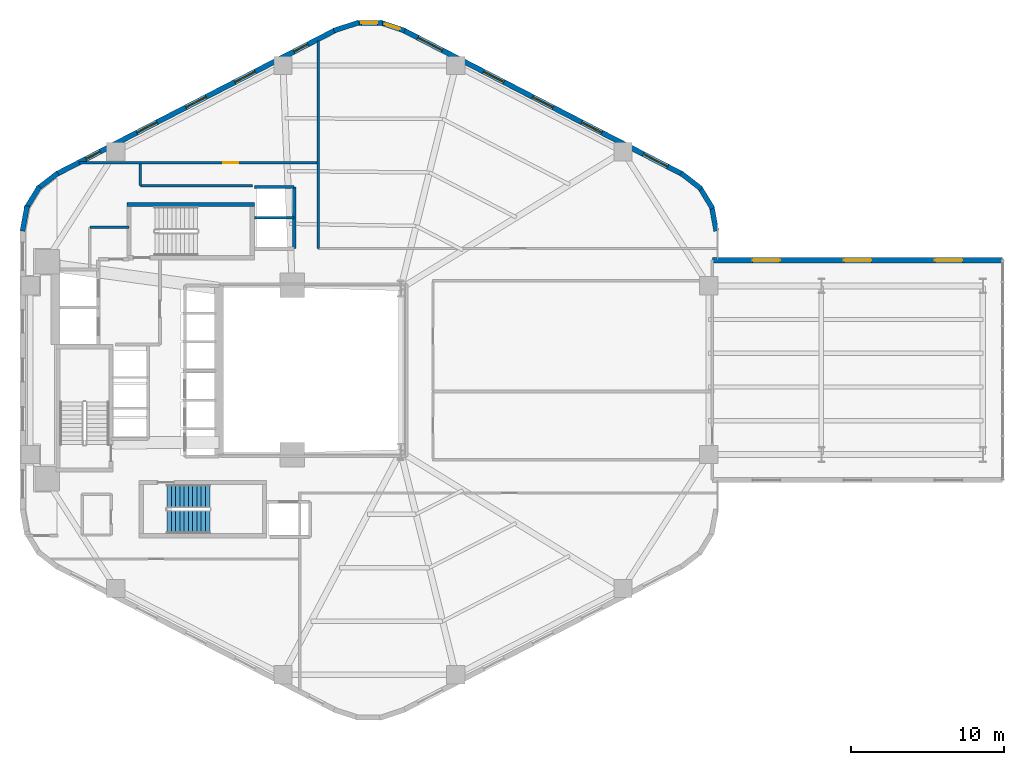
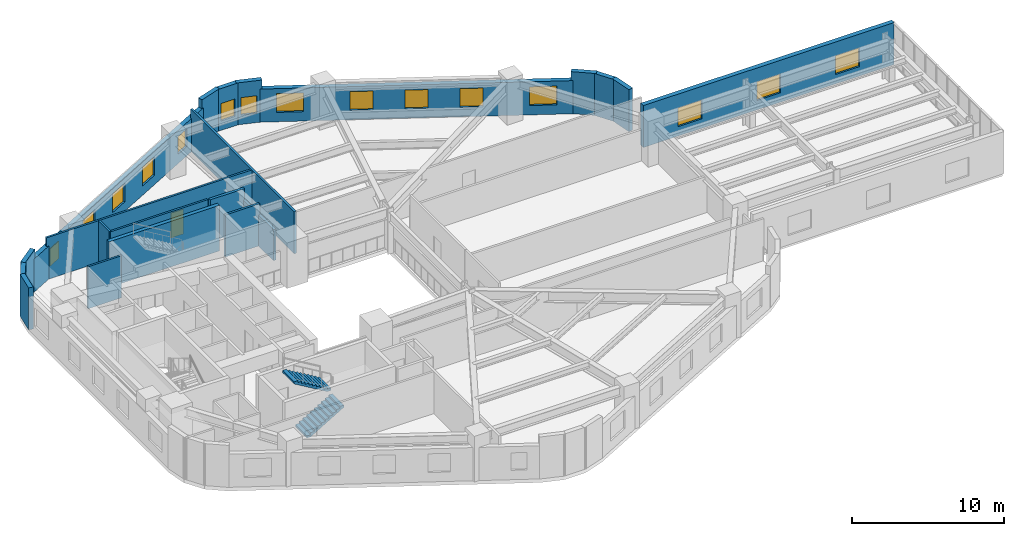
# One storey, part 7 of 10: 21 walls, 15 windows, 2 stair flights, 1 door, 16 openings, 1 element without a shape of its own.
"""IFC4 building model written with IfcOpenShell, lengths in metres."""

from ifc_helpers import new_model, si_unit, direction, frame, frame_2d, origin, place, context, subcontext, project, spatial, polyline, rectangle, outline, extrude, material, layer, layer_set, type_object, element, fill, aggregate, save


model = new_model("IFC4")

# Units and contexts
model_context = context("Model", 3, precision=1e-05, world=origin(), true_north=direction((0.0, 1.0)))
body_context = subcontext(model_context, "Body", "Model", "MODEL_VIEW")
ifc_project = project(units=[si_unit("LENGTHUNIT", "METRE"), si_unit("AREAUNIT", "SQUARE_METRE"), si_unit("VOLUMEUNIT", "CUBIC_METRE"), si_unit("PLANEANGLEUNIT", "RADIAN"), si_unit("MASSUNIT", "GRAM", prefix="KILO"), si_unit("THERMODYNAMICTEMPERATUREUNIT", "KELVIN"), si_unit("POWERUNIT", "WATT")], contexts=[model_context])

# Site, building, storey
site_placement = place(None, origin())
site = spatial("IfcSite", under=ifc_project, at=site_placement, CompositionType="ELEMENT")
building_placement = place(site_placement, origin())
building = spatial("IfcBuilding", under=site, at=building_placement, Name="Skarre Station Tower", CompositionType="ELEMENT")
storey_placement = place(building_placement, frame((0.0, 0.0, 56.199951171875)))
storey = spatial("IfcBuildingStorey", under=building, at=storey_placement, Name="L14", CompositionType="ELEMENT", Elevation=56.199951171875)

# Wall
ifc_material_1 = material(Name="Acoustic Steel-Stud Gypsum Partition", Category="steel")
ifc_layer_1 = layer(ifc_material_1, 0.14990234375, Name="Acoustic Steel-Stud Gypsum Partition")
ifc_layer_set_1 = layer_set([ifc_layer_1], Name="Acoustic Steel-Stud Gypsum Partition")
wall_type_1 = type_object("IfcWallType", Name="Fire-Rated Corridor Acoustic Partition 150", PredefinedType="PARTITIONING", material=ifc_layer_set_1)
wall_1_placement = place(storey_placement, frame((21.659912109375, 33.35009765625, 0.0), z_axis=(0.0, 0.0, 1.0), x_axis=(-1.0, 0.0, 0.0)))
element("IfcWall", 1, at=wall_1_placement, inside=storey, type_object=wall_type_1, Name="L14 Interior Partition WL-PT-L14-CNW-N1", PredefinedType="PARTITIONING", context=body_context, shape_type="SweptSolid", body=[
    extrude(rectangle(XDim=2.559814453125, YDim=0.14990234375, at=frame_2d((1.27978515625, 0.0))), origin(), (0.0, 0.0, 1.0), 3.360107421875),
])

# Wall, opening, door
wall_2_placement = place(storey_placement, frame((34.0, 37.580078125, 0.0), z_axis=(0.0, 0.0, 1.0), x_axis=(-1.0, 0.0, 0.0)))
wall_2 = element("IfcWall", 2, at=wall_2_placement, inside=storey, type_object=wall_type_1, Name="L14 Interior Partition WL-PT-L14-NWW1-CW", PredefinedType="PARTITIONING", context=body_context, shape_type="SweptSolid", body=[
    extrude(rectangle(XDim=15.60009765625, YDim=0.14990234375, at=frame_2d((7.800048828125, 0.0))), origin(), (0.0, 0.0, 1.0), 3.360107421875),
])
opening_1_placement = place(wall_2_placement, frame((5.195068359375, 0.0, 0.0)))
opening_1 = element("IfcOpeningElement", 3, at=opening_1_placement, cuts=wall_2, Name="Opening DR-FD60", PredefinedType="OPENING", context=body_context, shape_type="SweptSolid", body=[
    extrude(rectangle(XDim=0.9599609375, YDim=2.0, at=frame_2d((0.47998046875, 1.0))), frame((0.0, 0.0849609375, 0.0), z_axis=(0.0, -1.0, 0.0), x_axis=(1.0, 0.0, 0.0)), (0.0, 0.0, 1.0), 0.169921875),
])
ifc_material_2 = material(Name="Nordic White-Oak Veneer Solid-Core Fire Leaf", Category="wood")
door_type = type_object("IfcDoorType", Name="Corridor Suite Entry Fire Door FD60 960x2150", OperationType="SINGLE_SWING_LEFT", PredefinedType="DOOR", material=ifc_material_2)
door_placement = place(opening_1_placement, origin())
door = element("IfcDoor", 4, at=door_placement, inside=storey, type_object=door_type, Name="L14 NWW1 Entry Door", OperationType="SINGLE_SWING_LEFT", OverallHeight=2.0, OverallWidth=0.9599609375, PredefinedType="DOOR", context=body_context, shape_type="SweptSolid", body=[
    extrude(rectangle(XDim=0.9599609375, YDim=2.0, at=frame_2d((0.47998046875, 1.0))), frame((0.0, 0.02490234375, 0.0), z_axis=(0.0, -1.0, 0.0), x_axis=(1.0, 0.0, 0.0)), (0.0, 0.0, 1.0), 0.050048828125),
])
fill(opening_1, door)

# Walls
wall_3_placement = place(storey_placement, frame((29.7529296875, 36.080078125, 0.0), z_axis=(0.0, 0.0, 1.0), x_axis=(-1.0, 0.0, 0.0)))
element("IfcWall", 5, at=wall_3_placement, inside=storey, type_object=wall_type_1, Name="L14 Interior Partition WL-PT-L14-CSEAL-1", PredefinedType="PARTITIONING", context=body_context, shape_type="SweptSolid", body=[
    extrude(rectangle(XDim=7.35302734375, YDim=0.14990234375, at=frame_2d((3.676513671875, 0.0))), origin(), (0.0, 0.0, 1.0), 3.360107421875),
])
wall_4_placement = place(storey_placement, frame((22.39990234375, 36.080078125, 0.0), z_axis=(0.0, 0.0, 1.0), x_axis=(0.0, 1.0, 0.0)))
element("IfcWall", 6, at=wall_4_placement, inside=storey, type_object=wall_type_1, Name="L14 Interior Partition WL-PT-L14-CSEAL-2", PredefinedType="PARTITIONING", context=body_context, shape_type="SweptSolid", body=[
    extrude(rectangle(XDim=1.429931640625, YDim=0.14990234375, at=frame_2d((0.71484375, 0.0))), origin(), (0.0, 0.0, 1.0), 3.360107421875),
])

# Wall, openings, windows
ifc_material_3 = material(Name="Precast concrete C45/55", Category="concrete")
ifc_layer_2 = layer(ifc_material_3, 0.340087890625, Name="Precast concrete C45/55")
ifc_layer_set_2 = layer_set([ifc_layer_2], Name="Precast concrete C45/55")
wall_type_2 = type_object("IfcWallType", Name="Nordic Honed Precast Facet Wall 340", PredefinedType="STANDARD", material=ifc_layer_set_2)
wall_5_placement = place(storey_placement, frame((39.631103515625, 46.257080078125, 0.0), z_axis=(0.0, 0.0, 1.0), x_axis=(0.888634413993, -0.458616264721, 0.0)))
wall_5 = element("IfcWall", 7, at=wall_5_placement, inside=storey, type_object=wall_type_2, Name="L14 Facet 0 Nordic Precast Masonry Wall", PredefinedType="STANDARD", context=body_context, shape_type="SweptSolid", body=[
    extrude(rectangle(XDim=20.53125, YDim=0.340087890625, at=frame_2d((10.265625, 0.0))), origin(), (0.0, 0.0, 1.0), 2.654052734375),
])
opening_2_placement = place(wall_5_placement, frame((1.05810546875, 0.0, 0.75)))
opening_2 = element("IfcOpeningElement", 8, at=opening_2_placement, cuts=wall_5, Name="Opening WN-Z1A", PredefinedType="OPENING", context=body_context, shape_type="SweptSolid", body=[
    extrude(rectangle(XDim=1.800048828125, YDim=1.5, at=frame_2d((0.89990234375, 0.75))), frame((0.0, 0.179931640625, 0.0), z_axis=(0.0, -1.0, 0.0), x_axis=(1.0, 0.0, 0.0)), (0.0, 0.0, 1.0), 0.360107421875),
])
opening_3_placement = place(wall_5_placement, frame((5.903076171875, 0.0, 0.75)))
opening_3 = element("IfcOpeningElement", 9, at=opening_3_placement, cuts=wall_5, Name="Opening WN-Z1B", PredefinedType="OPENING", context=body_context, shape_type="SweptSolid", body=[
    extrude(rectangle(XDim=1.5, YDim=1.5, at=frame_2d((0.75, 0.75))), frame((0.0, 0.179931640625, 0.0), z_axis=(0.0, -1.0, 0.0), x_axis=(1.0, 0.0, 0.0)), (0.0, 0.0, 1.0), 0.360107421875),
])
opening_4_placement = place(wall_5_placement, frame((9.51611328125, 0.0, 0.75)))
opening_4 = element("IfcOpeningElement", 10, at=opening_4_placement, cuts=wall_5, Name="Opening WN-Z1B", PredefinedType="OPENING", context=body_context, shape_type="SweptSolid", body=[
    extrude(rectangle(XDim=1.5, YDim=1.5, at=frame_2d((0.75, 0.75))), frame((0.0, 0.179931640625, 0.0), z_axis=(0.0, -1.0, 0.0), x_axis=(1.0, 0.0, 0.0)), (0.0, 0.0, 1.0), 0.360107421875),
])
opening_5_placement = place(wall_5_placement, frame((13.12890625, 0.0, 0.75)))
opening_5 = element("IfcOpeningElement", 11, at=opening_5_placement, cuts=wall_5, Name="Opening WN-Z1B", PredefinedType="OPENING", context=body_context, shape_type="SweptSolid", body=[
    extrude(rectangle(XDim=1.5, YDim=1.5, at=frame_2d((0.75, 0.75))), frame((0.0, 0.179931640625, 0.0), z_axis=(0.0, -1.0, 0.0), x_axis=(1.0, 0.0, 0.0)), (0.0, 0.0, 1.0), 0.360107421875),
])
opening_6_placement = place(wall_5_placement, frame((17.673095703125, 0.0, 0.75)))
opening_6 = element("IfcOpeningElement", 12, at=opening_6_placement, cuts=wall_5, Name="Opening WN-Z1A", PredefinedType="OPENING", context=body_context, shape_type="SweptSolid", body=[
    extrude(rectangle(XDim=1.800048828125, YDim=1.5, at=frame_2d((0.89990234375, 0.75))), frame((0.0, 0.179931640625, 0.0), z_axis=(0.0, -1.0, 0.0), x_axis=(1.0, 0.0, 0.0)), (0.0, 0.0, 1.0), 0.360107421875),
])
ifc_material_4 = material(Name="Low-Iron Triple Glazing with Bronze Anodized Frame", Category="glass")
window_type_1 = type_object("IfcWindowType", Name="Nordic Punched Triple-Glazed Window 1500x1500", PartitioningType="SINGLE_PANEL", PredefinedType="WINDOW", material=ifc_material_4)
window_1_placement = place(opening_3_placement, origin())
window_1 = element("IfcWindow", 13, at=window_1_placement, inside=storey, type_object=window_type_1, Name="L14 Facade Window WL-FAC-L14-F0-2", OverallHeight=1.5, OverallWidth=1.5, PartitioningType="SINGLE_PANEL", PredefinedType="WINDOW", context=body_context, shape_type="SweptSolid", body=[
    extrude(rectangle(XDim=1.5, YDim=1.5, at=frame_2d((0.75, 0.75))), frame((0.0, 0.030029296875, 0.0), z_axis=(0.0, -1.0, 0.0), x_axis=(1.0, 0.0, 0.0)), (0.0, 0.0, 1.0), 0.06005859375),
])
fill(opening_3, window_1)
window_2_placement = place(opening_4_placement, origin())
window_2 = element("IfcWindow", 14, at=window_2_placement, inside=storey, type_object=window_type_1, Name="L14 Facade Window WL-FAC-L14-F0-3", OverallHeight=1.5, OverallWidth=1.5, PartitioningType="SINGLE_PANEL", PredefinedType="WINDOW", context=body_context, shape_type="SweptSolid", body=[
    extrude(rectangle(XDim=1.5, YDim=1.5, at=frame_2d((0.75, 0.75))), frame((0.0, 0.030029296875, 0.0), z_axis=(0.0, -1.0, 0.0), x_axis=(1.0, 0.0, 0.0)), (0.0, 0.0, 1.0), 0.06005859375),
])
fill(opening_4, window_2)
window_3_placement = place(opening_5_placement, origin())
window_3 = element("IfcWindow", 15, at=window_3_placement, inside=storey, type_object=window_type_1, Name="L14 Facade Window WL-FAC-L14-F0-4", OverallHeight=1.5, OverallWidth=1.5, PartitioningType="SINGLE_PANEL", PredefinedType="WINDOW", context=body_context, shape_type="SweptSolid", body=[
    extrude(rectangle(XDim=1.5, YDim=1.5, at=frame_2d((0.75, 0.75))), frame((0.0, 0.030029296875, 0.0), z_axis=(0.0, -1.0, 0.0), x_axis=(1.0, 0.0, 0.0)), (0.0, 0.0, 1.0), 0.06005859375),
])
fill(opening_5, window_3)
window_type_2 = type_object("IfcWindowType", Name="Nordic Punched Triple-Glazed Window 1800x1500", PartitioningType="SINGLE_PANEL", PredefinedType="WINDOW", material=ifc_material_4)
window_4_placement = place(opening_2_placement, origin())
window_4 = element("IfcWindow", 16, at=window_4_placement, inside=storey, type_object=window_type_2, Name="L14 Facade Window WL-FAC-L14-F0-1", OverallHeight=1.5, OverallWidth=1.800048828125, PartitioningType="SINGLE_PANEL", PredefinedType="WINDOW", context=body_context, shape_type="SweptSolid", body=[
    extrude(rectangle(XDim=1.800048828125, YDim=1.5, at=frame_2d((0.89990234375, 0.75))), frame((0.0, 0.030029296875, 0.0), z_axis=(0.0, -1.0, 0.0), x_axis=(1.0, 0.0, 0.0)), (0.0, 0.0, 1.0), 0.06005859375),
])
fill(opening_2, window_4)
window_5_placement = place(opening_6_placement, origin())
window_5 = element("IfcWindow", 17, at=window_5_placement, inside=storey, type_object=window_type_2, Name="L14 Facade Window WL-FAC-L14-F0-5", OverallHeight=1.5, OverallWidth=1.800048828125, PartitioningType="SINGLE_PANEL", PredefinedType="WINDOW", context=body_context, shape_type="SweptSolid", body=[
    extrude(rectangle(XDim=1.800048828125, YDim=1.5, at=frame_2d((0.89990234375, 0.75))), frame((0.0, 0.030029296875, 0.0), z_axis=(0.0, -1.0, 0.0), x_axis=(1.0, 0.0, 0.0)), (0.0, 0.0, 1.0), 0.06005859375),
])
fill(opening_6, window_5)

wall_6_placement = place(storey_placement, frame((16.924072265625, 36.841064453125, 0.0), z_axis=(0.0, 0.0, 1.0), x_axis=(0.888634413993, 0.458616264721, 0.0)))
wall_6 = element("IfcWall", 18, at=wall_6_placement, inside=storey, type_object=wall_type_2, Name="L14 Facet 1 Nordic Precast Masonry Wall", PredefinedType="STANDARD", context=body_context, shape_type="SweptSolid", body=[
    extrude(rectangle(XDim=20.53125, YDim=0.340087890625, at=frame_2d((10.265625, 0.0))), origin(), (0.0, 0.0, 1.0), 2.654052734375),
])
opening_7_placement = place(wall_6_placement, frame((2.160888671875, 0.0, 0.75)))
opening_7 = element("IfcOpeningElement", 19, at=opening_7_placement, cuts=wall_6, Name="Opening WN-SLT", PredefinedType="OPENING", context=body_context, shape_type="SweptSolid", body=[
    extrude(rectangle(XDim=1.050048828125, YDim=1.39990234375, at=frame_2d((0.52490234375, 0.699951171875))), frame((0.0, 0.179931640625, 0.0), z_axis=(0.0, -1.0, 0.0), x_axis=(1.0, 0.0, 0.0)), (0.0, 0.0, 1.0), 0.360107421875),
])
opening_8_placement = place(wall_6_placement, frame((5.903076171875, 0.0, 0.75)))
opening_8 = element("IfcOpeningElement", 20, at=opening_8_placement, cuts=wall_6, Name="Opening WN-Z1B", PredefinedType="OPENING", context=body_context, shape_type="SweptSolid", body=[
    extrude(rectangle(XDim=1.5, YDim=1.5, at=frame_2d((0.75, 0.75))), frame((0.0, 0.179931640625, 0.0), z_axis=(0.0, -1.0, 0.0), x_axis=(1.0, 0.0, 0.0)), (0.0, 0.0, 1.0), 0.360107421875),
])
opening_9_placement = place(wall_6_placement, frame((9.51611328125, 0.0, 0.75)))
opening_9 = element("IfcOpeningElement", 21, at=opening_9_placement, cuts=wall_6, Name="Opening WN-Z1B", PredefinedType="OPENING", context=body_context, shape_type="SweptSolid", body=[
    extrude(rectangle(XDim=1.5, YDim=1.5, at=frame_2d((0.75, 0.75))), frame((0.0, 0.179931640625, 0.0), z_axis=(0.0, -1.0, 0.0), x_axis=(1.0, 0.0, 0.0)), (0.0, 0.0, 1.0), 0.360107421875),
])
opening_10_placement = place(wall_6_placement, frame((13.12890625, 0.0, 0.75)))
opening_10 = element("IfcOpeningElement", 22, at=opening_10_placement, cuts=wall_6, Name="Opening WN-Z1B", PredefinedType="OPENING", context=body_context, shape_type="SweptSolid", body=[
    extrude(rectangle(XDim=1.5, YDim=1.5, at=frame_2d((0.75, 0.75))), frame((0.0, 0.179931640625, 0.0), z_axis=(0.0, -1.0, 0.0), x_axis=(1.0, 0.0, 0.0)), (0.0, 0.0, 1.0), 0.360107421875),
])
opening_11_placement = place(wall_6_placement, frame((17.47607421875, 0.0, 0.75)))
opening_11 = element("IfcOpeningElement", 23, at=opening_11_placement, cuts=wall_6, Name="Opening WN-SLT", PredefinedType="OPENING", context=body_context, shape_type="SweptSolid", body=[
    extrude(rectangle(XDim=1.050048828125, YDim=1.39990234375, at=frame_2d((0.52490234375, 0.699951171875))), frame((0.0, 0.179931640625, 0.0), z_axis=(0.0, -1.0, 0.0), x_axis=(1.0, 0.0, 0.0)), (0.0, 0.0, 1.0), 0.360107421875),
])
window_type_3 = type_object("IfcWindowType", Name="Nordic Corner Slot Window 1050x1400", PartitioningType="SINGLE_PANEL", PredefinedType="WINDOW", material=ifc_material_4)
window_6_placement = place(opening_7_placement, origin())
window_6 = element("IfcWindow", 24, at=window_6_placement, inside=storey, type_object=window_type_3, Name="L14 Facade Window WL-FAC-L14-F1-1", OverallHeight=1.39990234375, OverallWidth=1.050048828125, PartitioningType="SINGLE_PANEL", PredefinedType="WINDOW", context=body_context, shape_type="SweptSolid", body=[
    extrude(rectangle(XDim=1.050048828125, YDim=1.39990234375, at=frame_2d((0.52490234375, 0.699951171875))), frame((0.0, 0.030029296875, 0.0), z_axis=(0.0, -1.0, 0.0), x_axis=(1.0, 0.0, 0.0)), (0.0, 0.0, 1.0), 0.06005859375),
])
fill(opening_7, window_6)
window_7_placement = place(opening_11_placement, origin())
window_7 = element("IfcWindow", 25, at=window_7_placement, inside=storey, type_object=window_type_3, Name="L14 Facade Window WL-FAC-L14-F1-5", OverallHeight=1.39990234375, OverallWidth=1.050048828125, PartitioningType="SINGLE_PANEL", PredefinedType="WINDOW", context=body_context, shape_type="SweptSolid", body=[
    extrude(rectangle(XDim=1.050048828125, YDim=1.39990234375, at=frame_2d((0.52490234375, 0.699951171875))), frame((0.0, 0.030029296875, 0.0), z_axis=(0.0, -1.0, 0.0), x_axis=(1.0, 0.0, 0.0)), (0.0, 0.0, 1.0), 0.06005859375),
])
fill(opening_11, window_7)
window_8_placement = place(opening_8_placement, origin())
window_8 = element("IfcWindow", 26, at=window_8_placement, inside=storey, type_object=window_type_1, Name="L14 Facade Window WL-FAC-L14-F1-2", OverallHeight=1.5, OverallWidth=1.5, PartitioningType="SINGLE_PANEL", PredefinedType="WINDOW", context=body_context, shape_type="SweptSolid", body=[
    extrude(rectangle(XDim=1.5, YDim=1.5, at=frame_2d((0.75, 0.75))), frame((0.0, 0.030029296875, 0.0), z_axis=(0.0, -1.0, 0.0), x_axis=(1.0, 0.0, 0.0)), (0.0, 0.0, 1.0), 0.06005859375),
])
fill(opening_8, window_8)
window_9_placement = place(opening_9_placement, origin())
window_9 = element("IfcWindow", 27, at=window_9_placement, inside=storey, type_object=window_type_1, Name="L14 Facade Window WL-FAC-L14-F1-3", OverallHeight=1.5, OverallWidth=1.5, PartitioningType="SINGLE_PANEL", PredefinedType="WINDOW", context=body_context, shape_type="SweptSolid", body=[
    extrude(rectangle(XDim=1.5, YDim=1.5, at=frame_2d((0.75, 0.75))), frame((0.0, 0.030029296875, 0.0), z_axis=(0.0, -1.0, 0.0), x_axis=(1.0, 0.0, 0.0)), (0.0, 0.0, 1.0), 0.06005859375),
])
fill(opening_9, window_9)
window_10_placement = place(opening_10_placement, origin())
window_10 = element("IfcWindow", 28, at=window_10_placement, inside=storey, type_object=window_type_1, Name="L14 Facade Window WL-FAC-L14-F1-4", OverallHeight=1.5, OverallWidth=1.5, PartitioningType="SINGLE_PANEL", PredefinedType="WINDOW", context=body_context, shape_type="SweptSolid", body=[
    extrude(rectangle(XDim=1.5, YDim=1.5, at=frame_2d((0.75, 0.75))), frame((0.0, 0.030029296875, 0.0), z_axis=(0.0, -1.0, 0.0), x_axis=(1.0, 0.0, 0.0)), (0.0, 0.0, 1.0), 0.06005859375),
])
fill(opening_10, window_10)

wall_7_placement = place(storey_placement, frame((59.863037109375, 31.199951171875, 0.0), z_axis=(0.0, 0.0, 1.0), x_axis=(1.0, 0.0, 0.0)))
wall_7 = element("IfcWall", 29, at=wall_7_placement, inside=storey, type_object=wall_type_2, Name="L14 SB-1 Side 2 Precast Wall", PredefinedType="STANDARD", context=body_context, shape_type="SweptSolid", body=[
    extrude(rectangle(XDim=19.0, YDim=0.340087890625, at=frame_2d((9.5, 0.0))), origin(), (0.0, 0.0, 1.0), 3.360107421875),
])
opening_12_placement = place(wall_7_placement, frame((2.633056640625, 0.0, 0.75)))
opening_12 = element("IfcOpeningElement", 30, at=opening_12_placement, cuts=wall_7, Name="Opening WN-Z1A", PredefinedType="OPENING", context=body_context, shape_type="SweptSolid", body=[
    extrude(rectangle(XDim=1.800048828125, YDim=1.5, at=frame_2d((0.89990234375, 0.75))), frame((0.0, 0.179931640625, 0.0), z_axis=(0.0, -1.0, 0.0), x_axis=(1.0, 0.0, 0.0)), (0.0, 0.0, 1.0), 0.360107421875),
])
opening_13_placement = place(wall_7_placement, frame((8.60009765625, 0.0, 0.75)))
opening_13 = element("IfcOpeningElement", 31, at=opening_13_placement, cuts=wall_7, Name="Opening WN-Z1A", PredefinedType="OPENING", context=body_context, shape_type="SweptSolid", body=[
    extrude(rectangle(XDim=1.800048828125, YDim=1.5, at=frame_2d((0.89990234375, 0.75))), frame((0.0, 0.179931640625, 0.0), z_axis=(0.0, -1.0, 0.0), x_axis=(1.0, 0.0, 0.0)), (0.0, 0.0, 1.0), 0.360107421875),
])
opening_14_placement = place(wall_7_placement, frame((14.56689453125, 0.0, 0.75)))
opening_14 = element("IfcOpeningElement", 32, at=opening_14_placement, cuts=wall_7, Name="Opening WN-Z1A", PredefinedType="OPENING", context=body_context, shape_type="SweptSolid", body=[
    extrude(rectangle(XDim=1.800048828125, YDim=1.5, at=frame_2d((0.89990234375, 0.75))), frame((0.0, 0.179931640625, 0.0), z_axis=(0.0, -1.0, 0.0), x_axis=(1.0, 0.0, 0.0)), (0.0, 0.0, 1.0), 0.360107421875),
])
window_11_placement = place(opening_12_placement, origin())
window_11 = element("IfcWindow", 33, at=window_11_placement, inside=storey, type_object=window_type_2, Name="L14 Facade Window WL-SB-1-L14-S2-1", OverallHeight=1.5, OverallWidth=1.800048828125, PartitioningType="SINGLE_PANEL", PredefinedType="WINDOW", context=body_context, shape_type="SweptSolid", body=[
    extrude(rectangle(XDim=1.800048828125, YDim=1.5, at=frame_2d((0.89990234375, 0.75))), frame((0.0, 0.030029296875, 0.0), z_axis=(0.0, -1.0, 0.0), x_axis=(1.0, 0.0, 0.0)), (0.0, 0.0, 1.0), 0.06005859375),
])
fill(opening_12, window_11)
window_12_placement = place(opening_13_placement, origin())
window_12 = element("IfcWindow", 34, at=window_12_placement, inside=storey, type_object=window_type_2, Name="L14 Facade Window WL-SB-1-L14-S2-2", OverallHeight=1.5, OverallWidth=1.800048828125, PartitioningType="SINGLE_PANEL", PredefinedType="WINDOW", context=body_context, shape_type="SweptSolid", body=[
    extrude(rectangle(XDim=1.800048828125, YDim=1.5, at=frame_2d((0.89990234375, 0.75))), frame((0.0, 0.030029296875, 0.0), z_axis=(0.0, -1.0, 0.0), x_axis=(1.0, 0.0, 0.0)), (0.0, 0.0, 1.0), 0.06005859375),
])
fill(opening_13, window_12)
window_13_placement = place(opening_14_placement, origin())
window_13 = element("IfcWindow", 35, at=window_13_placement, inside=storey, type_object=window_type_2, Name="L14 Facade Window WL-SB-1-L14-S2-3", OverallHeight=1.5, OverallWidth=1.800048828125, PartitioningType="SINGLE_PANEL", PredefinedType="WINDOW", context=body_context, shape_type="SweptSolid", body=[
    extrude(rectangle(XDim=1.800048828125, YDim=1.5, at=frame_2d((0.89990234375, 0.75))), frame((0.0, 0.030029296875, 0.0), z_axis=(0.0, -1.0, 0.0), x_axis=(1.0, 0.0, 0.0)), (0.0, 0.0, 1.0), 0.06005859375),
])
fill(opening_14, window_13)

# Walls
ifc_layer_3 = layer(ifc_material_3, 0.330078125, Name="Precast concrete C45/55")
ifc_layer_set_3 = layer_set([ifc_layer_3], Name="Precast concrete C45/55")
wall_type_3 = type_object("IfcWallType", Name="Nordic Rounded Corner Precast Wall 330", PredefinedType="STANDARD", material=ifc_layer_set_3)
wall_8_placement = place(storey_placement, frame((57.802001953125, 36.90087890625, 0.0), z_axis=(0.0, 0.0, 1.0), x_axis=(0.790691856293, -0.61221433207, 0.0)))
element("IfcWall", 36, at=wall_8_placement, inside=storey, type_object=wall_type_3, Name="L14 Rounded Corner Precast Wall F0-1", PredefinedType="STANDARD", context=body_context, shape_type="SweptSolid", body=[
    extrude(rectangle(XDim=1.67578125, YDim=0.330078125, at=frame_2d((0.837890625, 0.0))), origin(), (0.0, 0.0, 1.0), 3.360107421875),
])
wall_9_placement = place(storey_placement, frame((59.001953125, 36.014892578125, 0.0), z_axis=(0.0, 0.0, 1.0), x_axis=(0.520584129191, -0.853810379671, 0.0)))
element("IfcWall", 37, at=wall_9_placement, inside=storey, type_object=wall_type_3, Name="L14 Rounded Corner Precast Wall F0-2", PredefinedType="STANDARD", context=body_context, shape_type="SweptSolid", body=[
    extrude(rectangle(XDim=1.677001953125, YDim=0.330078125, at=frame_2d((0.83837890625, 0.0))), origin(), (0.0, 0.0, 1.0), 3.360107421875),
])
wall_10_placement = place(storey_placement, frame((59.80810546875, 34.758056640625, 0.0), z_axis=(0.0, 0.0, 1.0), x_axis=(0.181714143354, -0.983351397063, 0.0)))
element("IfcWall", 38, at=wall_10_placement, inside=storey, type_object=wall_type_3, Name="L14 Rounded Corner Precast Wall F0-3", PredefinedType="STANDARD", context=body_context, shape_type="SweptSolid", body=[
    extrude(rectangle(XDim=1.677978515625, YDim=0.330078125, at=frame_2d((0.8388671875, 0.0))), origin(), (0.0, 0.0, 1.0), 3.360107421875),
])
wall_11_placement = place(storey_placement, frame((35.0810546875, 46.23095703125, 0.0), z_axis=(0.0, 0.0, 1.0), x_axis=(0.94976901097, 0.312951794691, 0.0)))
element("IfcWall", 39, at=wall_11_placement, inside=storey, type_object=wall_type_3, Name="L14 Rounded Corner Precast Wall F1-1", PredefinedType="STANDARD", context=body_context, shape_type="SweptSolid", body=[
    extrude(rectangle(XDim=1.722412109375, YDim=0.330078125, at=frame_2d((0.861328125, 0.0))), origin(), (0.0, 0.0, 1.0), 3.360107421875),
])

# Wall, opening, window
wall_12_placement = place(storey_placement, frame((36.5390625, 46.740966796875, 0.0), z_axis=(0.0, 0.0, 1.0), x_axis=(1.0, 0.0, 0.0)))
wall_12 = element("IfcWall", 40, at=wall_12_placement, inside=storey, type_object=wall_type_3, Name="L14 Rounded Corner Precast Wall F1-2", PredefinedType="STANDARD", context=body_context, shape_type="SweptSolid", body=[
    extrude(rectangle(XDim=1.721923828125, YDim=0.330078125, at=frame_2d((0.86083984375, 0.0))), origin(), (0.0, 0.0, 1.0), 3.360107421875),
])
opening_15_placement = place(wall_12_placement, frame((0.3359375, 0.0, 0.75)))
opening_15 = element("IfcOpeningElement", 41, at=opening_15_placement, cuts=wall_12, Name="Opening WN-SLT", PredefinedType="OPENING", context=body_context, shape_type="SweptSolid", body=[
    extrude(rectangle(XDim=1.050048828125, YDim=1.39990234375, at=frame_2d((0.52490234375, 0.699951171875))), frame((0.0, 0.175048828125, 0.0), z_axis=(0.0, -1.0, 0.0), x_axis=(1.0, 0.0, 0.0)), (0.0, 0.0, 1.0), 0.35009765625),
])
window_14_placement = place(opening_15_placement, origin())
window_14 = element("IfcWindow", 42, at=window_14_placement, inside=storey, type_object=window_type_3, Name="L14 Apex Corner Slot Window F1-2", OverallHeight=1.39990234375, OverallWidth=1.050048828125, PartitioningType="SINGLE_PANEL", PredefinedType="WINDOW", context=body_context, shape_type="SweptSolid", body=[
    extrude(rectangle(XDim=1.050048828125, YDim=1.39990234375, at=frame_2d((0.52490234375, 0.699951171875))), frame((0.0, 0.030029296875, 0.0), z_axis=(0.0, -1.0, 0.0), x_axis=(1.0, 0.0, 0.0)), (0.0, 0.0, 1.0), 0.06005859375),
])
fill(opening_15, window_14)

wall_13_placement = place(storey_placement, frame((38.0830078125, 46.77001953125, 0.0), z_axis=(0.0, 0.0, 1.0), x_axis=(0.94976901097, -0.312951794691, 0.0)))
wall_13 = element("IfcWall", 43, at=wall_13_placement, inside=storey, type_object=wall_type_3, Name="L14 Rounded Corner Precast Wall F1-3", PredefinedType="STANDARD", context=body_context, shape_type="SweptSolid", body=[
    extrude(rectangle(XDim=1.722412109375, YDim=0.330078125, at=frame_2d((0.861328125, 0.0))), origin(), (0.0, 0.0, 1.0), 3.360107421875),
])
opening_16_placement = place(wall_13_placement, frame((0.3359375, 0.0, 0.75)))
opening_16 = element("IfcOpeningElement", 44, at=opening_16_placement, cuts=wall_13, Name="Opening WN-SLT", PredefinedType="OPENING", context=body_context, shape_type="SweptSolid", body=[
    extrude(rectangle(XDim=1.050048828125, YDim=1.39990234375, at=frame_2d((0.52490234375, 0.699951171875))), frame((0.0, 0.175048828125, 0.0), z_axis=(0.0, -1.0, 0.0), x_axis=(1.0, 0.0, 0.0)), (0.0, 0.0, 1.0), 0.35009765625),
])
window_15_placement = place(opening_16_placement, origin())
window_15 = element("IfcWindow", 45, at=window_15_placement, inside=storey, type_object=window_type_3, Name="L14 Apex Corner Slot Window F1-3", OverallHeight=1.39990234375, OverallWidth=1.050048828125, PartitioningType="SINGLE_PANEL", PredefinedType="WINDOW", context=body_context, shape_type="SweptSolid", body=[
    extrude(rectangle(XDim=1.050048828125, YDim=1.39990234375, at=frame_2d((0.52490234375, 0.699951171875))), frame((0.0, 0.030029296875, 0.0), z_axis=(0.0, -1.0, 0.0), x_axis=(1.0, 0.0, 0.0)), (0.0, 0.0, 1.0), 0.06005859375),
])
fill(opening_16, window_15)

# Walls
wall_14_placement = place(storey_placement, frame((14.68701171875, 33.10791015625, 0.0), z_axis=(0.0, 0.0, 1.0), x_axis=(0.181714143354, 0.983351397063, 0.0)))
element("IfcWall", 46, at=wall_14_placement, inside=storey, type_object=wall_type_3, Name="L14 Rounded Corner Precast Wall F2-1", PredefinedType="STANDARD", context=body_context, shape_type="SweptSolid", body=[
    extrude(rectangle(XDim=1.677978515625, YDim=0.330078125, at=frame_2d((0.8388671875, 0.0))), origin(), (0.0, 0.0, 1.0), 3.360107421875),
])
wall_15_placement = place(storey_placement, frame((14.925048828125, 34.5830078125, 0.0), z_axis=(0.0, 0.0, 1.0), x_axis=(0.520584129191, 0.853810379671, 0.0)))
element("IfcWall", 47, at=wall_15_placement, inside=storey, type_object=wall_type_3, Name="L14 Rounded Corner Precast Wall F2-2", PredefinedType="STANDARD", context=body_context, shape_type="SweptSolid", body=[
    extrude(rectangle(XDim=1.677001953125, YDim=0.330078125, at=frame_2d((0.83837890625, 0.0))), origin(), (0.0, 0.0, 1.0), 3.360107421875),
])
wall_16_placement = place(storey_placement, frame((15.673095703125, 35.875, 0.0), z_axis=(0.0, 0.0, 1.0), x_axis=(0.790691856293, 0.61221433207, 0.0)))
element("IfcWall", 48, at=wall_16_placement, inside=storey, type_object=wall_type_3, Name="L14 Rounded Corner Precast Wall F2-3", PredefinedType="STANDARD", context=body_context, shape_type="SweptSolid", body=[
    extrude(rectangle(XDim=1.67578125, YDim=0.330078125, at=frame_2d((0.837890625, 0.0))), origin(), (0.0, 0.0, 1.0), 3.360107421875),
])
ifc_material_5 = material(Name="Concrete C50/60", Category="concrete")
ifc_layer_4 = layer(ifc_material_5, 0.280029296875, Name="Concrete C50/60")
ifc_layer_set_4 = layer_set([ifc_layer_4], Name="Concrete C50/60")
wall_type_4 = type_object("IfcWallType", Name="RC Core Shear Wall 280", PredefinedType="SHEAR", material=ifc_layer_set_4)
wall_17_placement = place(storey_placement, frame((29.8798828125, 34.840087890625, 0.0), z_axis=(0.0, 0.0, 1.0), x_axis=(-1.0, 0.0, 0.0)))
element("IfcWall", 49, at=wall_17_placement, inside=storey, type_object=wall_type_4, Name="L14 Stair ST-3 North Shear Wall", PredefinedType="SHEAR", context=body_context, shape_type="SweptSolid", body=[
    extrude(rectangle(XDim=8.35986328125, YDim=0.280029296875, at=frame_2d((4.179931640625, 0.0))), origin(), (0.0, 0.0, 1.0), 3.650146484375),
])
ifc_material_6 = material(Name="Gypsum Concrete Shaft Assembly C30/37", Category="concrete")
ifc_layer_5 = layer(ifc_material_6, 0.199951171875, Name="Gypsum Concrete Shaft Assembly C30/37")
ifc_layer_set_5 = layer_set([ifc_layer_5], Name="Gypsum Concrete Shaft Assembly C30/37")
wall_type_5 = type_object("IfcWallType", Name="Shaft & Core Fire Partition 200", PredefinedType="PARTITIONING", material=ifc_layer_set_5)
wall_18_placement = place(storey_placement, frame((32.47998046875, 31.949951171875, 0.0), z_axis=(0.0, 0.0, 1.0), x_axis=(0.0, 1.0, 0.0)))
element("IfcWall", 50, at=wall_18_placement, inside=storey, type_object=wall_type_5, Name="L14 Interior Partition WL-PT-L14-EX-E", PredefinedType="PARTITIONING", context=body_context, shape_type="SweptSolid", body=[
    extrude(rectangle(XDim=4.050048828125, YDim=0.199951171875, at=frame_2d((2.02490234375, 0.0))), origin(), (0.0, 0.0, 1.0), 2.483154296875),
])
wall_19_placement = place(storey_placement, frame((29.8798828125, 36.0, 0.0), z_axis=(0.0, 0.0, 1.0), x_axis=(1.0, 0.0, 0.0)))
element("IfcWall", 51, at=wall_19_placement, inside=storey, type_object=wall_type_5, Name="L14 Interior Partition WL-PT-L14-EX-N", PredefinedType="PARTITIONING", context=body_context, shape_type="SweptSolid", body=[
    extrude(rectangle(XDim=2.60009765625, YDim=0.199951171875, at=frame_2d((1.300048828125, 0.0))), origin(), (0.0, 0.0, 1.0), 3.360107421875),
])
wall_20_placement = place(storey_placement, frame((29.875, 33.97998046875, 0.0), z_axis=(0.0, 0.0, 1.0), x_axis=(1.0, 0.0, 0.0)))
element("IfcWall", 52, at=wall_20_placement, inside=storey, type_object=wall_type_5, Name="L14 Interior Partition WL-PT-L14-EX-DIV", PredefinedType="PARTITIONING", context=body_context, shape_type="SweptSolid", body=[
    extrude(rectangle(XDim=2.60498046875, YDim=0.159912109375, at=frame_2d((1.302490234375, 0.0))), origin(), (0.0, 0.0, 1.0), 3.360107421875),
])
ifc_layer_6 = layer(ifc_material_1, 0.1650390625, Name="Acoustic Steel-Stud Gypsum Partition")
ifc_layer_set_6 = layer_set([ifc_layer_6], Name="Acoustic Steel-Stud Gypsum Partition")
wall_type_6 = type_object("IfcWallType", Name="Suite Demising Acoustic Partition 165", PredefinedType="PARTITIONING", material=ifc_layer_set_6)
wall_21_placement = place(storey_placement, frame((34.0400390625, 31.9599609375, 0.0), z_axis=(0.0, 0.0, 1.0), x_axis=(0.0, 1.0, 0.0)))
element("IfcWall", 53, at=wall_21_placement, inside=storey, type_object=wall_type_6, Name="L14 Interior Partition WL-PT-L14-NW-WBND", PredefinedType="PARTITIONING", context=body_context, shape_type="SweptSolid", body=[
    extrude(rectangle(XDim=13.5791015625, YDim=0.1650390625, at=frame_2d((6.78955078125, 0.0))), origin(), (0.0, 0.0, 1.0), 3.360107421875),
])

# Stair, stair flights
ifc_material_7 = material(Name="Concrete C40/50", Category="concrete")
stair_type = type_object("IfcStairType", Name="Reinforced Concrete Exit Stair ST-2", PredefinedType="HALF_TURN_STAIR", material=ifc_material_7)
stair_placement = place(storey_placement, origin())
stair = element("IfcStair", 54, at=stair_placement, inside=storey, type_object=stair_type, Name="L14 Core Exit Stair ST-2", PredefinedType="HALF_TURN_STAIR")
stair_flight_type = type_object("IfcStairFlightType", Name="Reinforced Concrete Stair Flight ST-2", PredefinedType="STRAIGHT", material=ifc_material_7)
stair_flight_1_placement = place(storey_placement, frame((24.14990234375, 14.06005859375, 0.0), z_axis=(0.0, 0.0, 1.0), x_axis=(1.0, 0.0, 0.0)))
stair_flight_1 = element("IfcStairFlight", 55, at=stair_flight_1_placement, type_object=stair_flight_type, Name="ST-2 flight 1", NumberOfRisers=11, NumberOfTreads=10, PredefinedType="STRAIGHT", RiserHeight=0.165909091, TreadLength=0.28, context=body_context, shape_type="SweptSolid", body=[
    extrude(outline(polyline([(0.0, 0.0), (0.0, 0.166015625), (0.280029296875, 0.166015625), (0.280029296875, 0.331787109375), (0.56005859375, 0.331787109375), (0.56005859375, 0.497802734375), (0.840087890625, 0.497802734375), (0.840087890625, 0.66357421875), (1.1201171875, 0.66357421875), (1.1201171875, 0.82958984375), (1.39990234375, 0.82958984375), (1.39990234375, 0.995361328125), (1.679931640625, 0.995361328125), (1.679931640625, 1.161376953125), (1.9599609375, 1.161376953125), (1.9599609375, 1.327392578125), (2.239990234375, 1.327392578125), (2.239990234375, 1.4931640625), (2.52001953125, 1.4931640625), (2.52001953125, 1.6591796875), (2.800048828125, 1.6591796875), (2.800048828125, 1.824951171875), (2.800048828125, 1.48486328125), (0.2939453125, 0.0), (0.0, 0.0)])), frame((0.0, 0.760009765625, 0.0), z_axis=(0.0, -1.0, 0.0), x_axis=(1.0, 0.0, 0.0)), (0.0, 0.0, 1.0), 1.52001953125),
])
stair_flight_2_placement = place(storey_placement, frame((26.949951171875, 15.739990234375, 1.824951171875), z_axis=(0.0, 0.0, 1.0), x_axis=(-1.0, 0.0, 0.0)))
stair_flight_2 = element("IfcStairFlight", 56, at=stair_flight_2_placement, type_object=stair_flight_type, Name="ST-2 flight 2", NumberOfRisers=11, NumberOfTreads=10, PredefinedType="STRAIGHT", RiserHeight=0.165909091, TreadLength=0.28, context=body_context, shape_type="SweptSolid", body=[
    extrude(outline(polyline([(0.0, 0.0), (0.0, 0.166015625), (0.280029296875, 0.166015625), (0.280029296875, 0.331787109375), (0.56005859375, 0.331787109375), (0.56005859375, 0.497802734375), (0.840087890625, 0.497802734375), (0.840087890625, 0.66357421875), (1.1201171875, 0.66357421875), (1.1201171875, 0.82958984375), (1.39990234375, 0.82958984375), (1.39990234375, 0.995361328125), (1.679931640625, 0.995361328125), (1.679931640625, 1.161376953125), (1.9599609375, 1.161376953125), (1.9599609375, 1.327392578125), (2.239990234375, 1.327392578125), (2.239990234375, 1.4931640625), (2.52001953125, 1.4931640625), (2.52001953125, 1.6591796875), (2.800048828125, 1.6591796875), (2.800048828125, 1.824951171875), (2.800048828125, 1.48486328125), (0.2939453125, 0.0), (0.0, 0.0)])), frame((0.0, 0.760009765625, 0.0), z_axis=(0.0, -1.0, 0.0), x_axis=(1.0, 0.0, 0.0)), (0.0, 0.0, 1.0), 1.52001953125),
])
aggregate(stair, [stair_flight_1, stair_flight_2])

save(model, "model.ifc")
